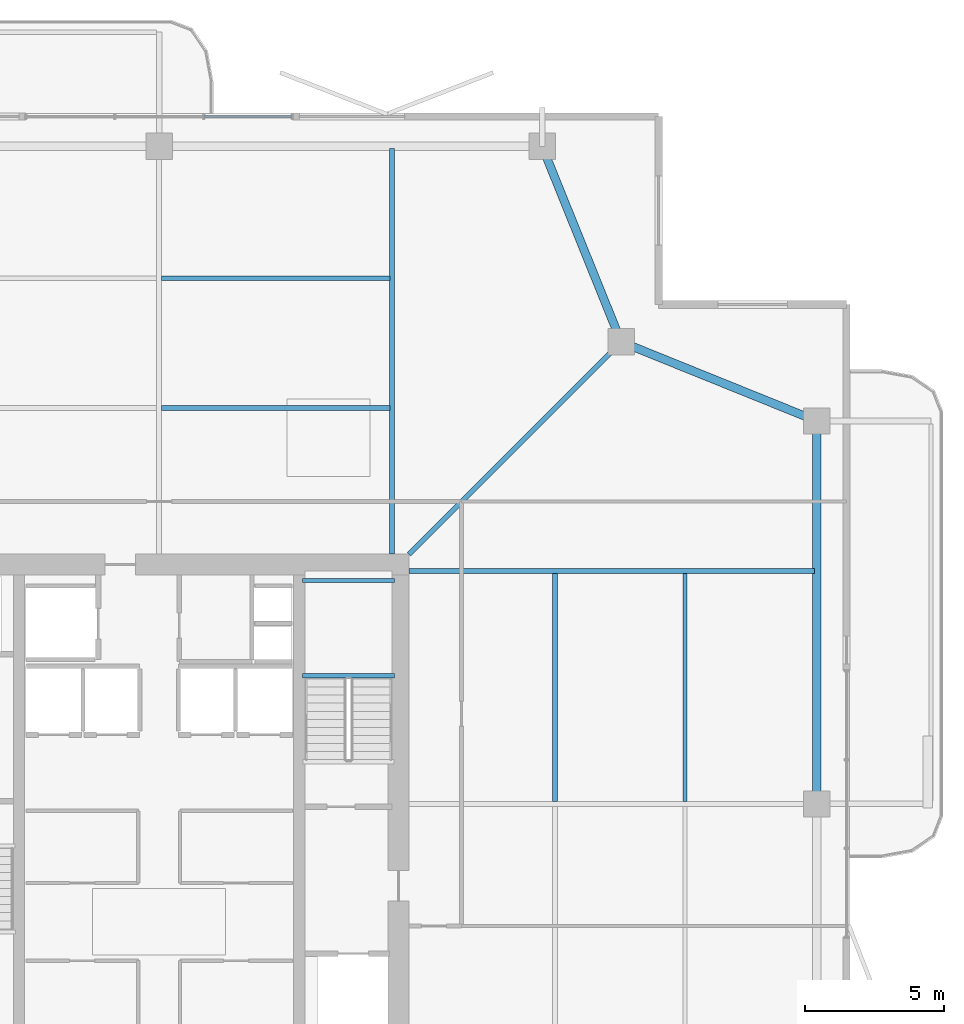
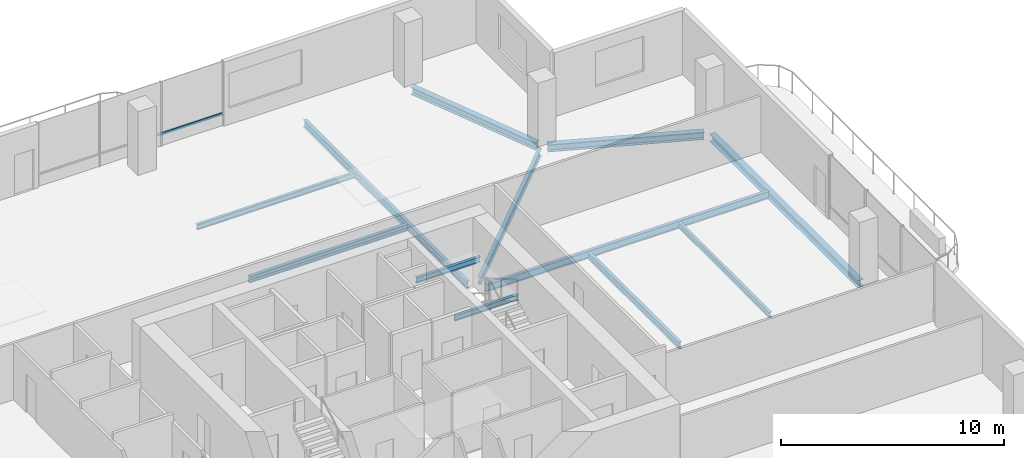
# One storey, part 14 of 24: 12 beams, 1 member, 1 element without a shape of its own.
"""IFC4 building model written with IfcOpenShell, lengths in metres."""

from ifc_helpers import new_model, si_unit, direction, frame, origin, origin_2d, place, context, subcontext, project, spatial, hollow_rectangle, i_section, extrude, material, layer, layer_set, material_profile, profile_set, type_object, element, aggregate, save


model = new_model("IFC4")

# Units and contexts
model_context = context("Model", 3, precision=1e-05, world=origin(), true_north=direction((0.0, 1.0)))
body_context = subcontext(model_context, "Body", "Model", "MODEL_VIEW")
ifc_project = project(units=[si_unit("LENGTHUNIT", "METRE"), si_unit("AREAUNIT", "SQUARE_METRE"), si_unit("VOLUMEUNIT", "CUBIC_METRE"), si_unit("PLANEANGLEUNIT", "RADIAN"), si_unit("MASSUNIT", "GRAM", prefix="KILO")], contexts=[model_context])

# Site, building, storey
site_placement = place(None, origin())
site = spatial("IfcSite", under=ifc_project, at=site_placement, CompositionType="ELEMENT")
building_placement = place(site_placement, origin())
building = spatial("IfcBuilding", under=site, at=building_placement, Name="Belovzor Exchange Tower", CompositionType="ELEMENT")
storey_placement = place(building_placement, frame((0.0, 0.0, 261.60009765625)))
storey = spatial("IfcBuildingStorey", under=building, at=storey_placement, Name="L65", CompositionType="ELEMENT", Elevation=261.60009765625)

# Beams
ifc_material_1 = material(Name="Steel S355", Category="steel")
ifc_material_profile_1 = material_profile(ifc_material_1, i_section(OverallWidth=0.169921875, OverallDepth=0.360107421875, WebThickness=0.008056640625, FlangeThickness=0.0126953125, at=origin_2d()))
ifc_profile_set_1 = profile_set([ifc_material_profile_1], Name="Steel S355")
beam_type_1 = type_object("IfcBeamType", Name="Secondary Infill Floor Joist IPE 360", PredefinedType="BEAM", material=ifc_profile_set_1)
for number, where, z_axis, x_axis, name in (
    (1, (28.889892578125, 43.06494140625, -0.43017578125), (1.0, 0.0, 0.0), (0.0, 1.0, 0.0), "FJ-360 Secondary Infill Floor Joist IPE 360"),
    (2, (43.06494140625, 28.889892578125, -0.43017578125), (0.0, 1.0, 0.0), (-1.0, 0.0, 0.0), "FJ-360 Secondary Infill Floor Joist IPE 360"),
):
    element("IfcBeam", number, at=place(storey_placement, frame(where, z_axis=z_axis, x_axis=x_axis)), inside=storey, type_object=beam_type_1, Name=name, PredefinedType="BEAM", context=body_context, shape_type="SweptSolid", body=[
        extrude(i_section(OverallWidth=0.169921875, OverallDepth=0.360107421875, WebThickness=0.008056640625, FlangeThickness=0.0126953125, at=origin_2d()), origin(), (0.0, 0.0, 1.0), 8.22021484375),
    ])
ifc_material_2 = material(Name="Steel S355", Category="steel")
ifc_material_profile_2 = material_profile(ifc_material_2, i_section(OverallWidth=0.14990234375, OverallDepth=0.300048828125, WebThickness=0.007080078125, FlangeThickness=0.0107421875, at=origin_2d()))
ifc_profile_set_2 = profile_set([ifc_material_profile_2], Name="Steel S355")
beam_type_2 = type_object("IfcBeamType", Name="Secondary Trim Floor Joist IPE 300", PredefinedType="BEAM", material=ifc_profile_set_2)
for number, where, z_axis, x_axis, name in (
    (3, (37.280029296875, 33.419921875, 1.52490234375), (-1.0, 0.0, 0.0), (0.0, -1.0, 0.0), "FJ-300 Secondary Trim Floor Joist IPE 300"),
    (4, (37.280029296875, 36.85009765625, 1.52490234375), (-1.0, 0.0, 0.0), (0.0, -1.0, 0.0), "FJ-300 Secondary Trim Floor Joist IPE 300"),
):
    element("IfcBeam", number, at=place(storey_placement, frame(where, z_axis=z_axis, x_axis=x_axis)), inside=storey, type_object=beam_type_2, Name=name, PredefinedType="BEAM", context=body_context, shape_type="SweptSolid", body=[
        extrude(i_section(OverallWidth=0.14990234375, OverallDepth=0.300048828125, WebThickness=0.007080078125, FlangeThickness=0.0107421875, at=origin_2d()), origin(), (0.0, 0.0, 1.0), 3.31005859375),
    ])
for number, where, z_axis, x_axis, name in (
    (5, (28.889892578125, 47.7451171875, -0.400146484375), (1.0, 0.0, 0.0), (0.0, 1.0, 0.0), "FJ-300 Secondary Trim Floor Joist IPE 300"),
    (6, (47.7451171875, 28.889892578125, -0.400146484375), (0.0, 1.0, 0.0), (-1.0, 0.0, 0.0), "FJ-300 Secondary Trim Floor Joist IPE 300"),
):
    element("IfcBeam", number, at=place(storey_placement, frame(where, z_axis=z_axis, x_axis=x_axis)), inside=storey, type_object=beam_type_2, Name=name, PredefinedType="BEAM", context=body_context, shape_type="SweptSolid", body=[
        extrude(i_section(OverallWidth=0.14990234375, OverallDepth=0.300048828125, WebThickness=0.007080078125, FlangeThickness=0.0107421875, at=origin_2d()), origin(), (0.0, 0.0, 1.0), 8.22021484375),
    ])

# Curtain wall, member
ifc_material_3 = material(Name="Anodised Aluminium Framing", Category="aluminium")
ifc_layer = layer(ifc_material_3, 0.179931640625)
ifc_layer_set = layer_set([ifc_layer], Name="Anodised Aluminium Framing")
curtain_wall_type = type_object("IfcCurtainWallType", Name="Recessed Loggia Low-Iron Triple-Glazed Curtain Wall", PredefinedType="NOTDEFINED", material=ifc_layer_set)
curtain_wall_placement = place(storey_placement, origin())
curtain_wall = element("IfcCurtainWall", 7, at=curtain_wall_placement, inside=storey, type_object=curtain_wall_type, Name="CW3 Recessed Loggia Low-Iron Triple-Glazed Curtain Wall L65", PredefinedType="NOTDEFINED")
ifc_material_4 = material(Name="Steel S355", Category="steel")
ifc_material_profile_3 = material_profile(ifc_material_4, hollow_rectangle(XDim=0.06005859375, YDim=0.14990234375, WallThickness=0.00390625, at=origin_2d()))
ifc_profile_set_3 = profile_set([ifc_material_profile_3], Name="Steel S355")
member_type = type_object("IfcMemberType", Name="Thermally Broken Curtain Wall Transom 150x60", PredefinedType="USERDEFINED", material=ifc_profile_set_3)
member_placement = place(storey_placement, frame((30.407958984375, 53.570068359375, 0.6298828125), z_axis=(1.0, 0.0, 0.0), x_axis=(0.0, 1.0, 0.0)))
member = element("IfcMember", 8, at=member_placement, type_object=member_type, Name="CW-T150 Curtain Wall Transom 3", ObjectType="TRANSOM", PredefinedType="USERDEFINED", context=body_context, shape_type="SweptSolid", body=[
    extrude(hollow_rectangle(XDim=0.06005859375, YDim=0.14990234375, WallThickness=0.00390625, at=origin_2d()), origin(), (0.0, 0.0, 1.0), 3.18408203125),
])
aggregate(curtain_wall, [member])

# Beams
ifc_material_5 = material(Name="Steel S355", Category="steel")
ifc_material_profile_4 = material_profile(ifc_material_5, i_section(OverallWidth=0.300048828125, OverallDepth=0.39990234375, WebThickness=0.013427734375, FlangeThickness=0.02392578125, at=origin_2d()))
ifc_profile_set_4 = profile_set([ifc_material_profile_4], Name="Steel S355")
beam_type_3 = type_object("IfcBeamType", Name="Zone 5 Primary Girder HEB 400", PredefinedType="BEAM", material=ifc_profile_set_4)
beam_1_placement = place(storey_placement, frame((52.5, 29.06103515625, -0.4501953125), z_axis=(0.0, 1.0, 0.0), x_axis=(-1.0, 0.0, 0.0)))
element("IfcBeam", 9, at=beam_1_placement, inside=storey, type_object=beam_type_3, Name="FG-Z5 Zone 5 Primary Girder HEB 400", PredefinedType="BEAM", context=body_context, shape_type="SweptSolid", body=[
    extrude(i_section(OverallWidth=0.300048828125, OverallDepth=0.39990234375, WebThickness=0.013427734375, FlangeThickness=0.02392578125, at=origin_2d()), origin(), (0.0, 0.0, 1.0), 13.278076171875),
])
for number, where, z_axis, x_axis, name in (
    (10, (52.258056640625, 42.697998046875, -0.4501953125), (-0.927127394661, 0.374746306278, 0.0), (-0.374746306278, -0.927127394661, 0.0), "FG-Z5 Zone 5 Primary Girder HEB 400"),
    (11, (45.35205078125, 45.69189453125, -0.4501953125), (-0.374746306278, 0.927127394661, 0.0), (-0.927127394661, -0.374746306278, 0.0), "FG-Z5 Zone 5 Primary Girder HEB 400"),
):
    element("IfcBeam", number, at=place(storey_placement, frame(where, z_axis=z_axis, x_axis=x_axis)), inside=storey, type_object=beam_type_3, Name=name, PredefinedType="BEAM", context=body_context, shape_type="SweptSolid", body=[
        extrude(i_section(OverallWidth=0.300048828125, OverallDepth=0.39990234375, WebThickness=0.013427734375, FlangeThickness=0.02392578125, at=origin_2d()), origin(), (0.0, 0.0, 1.0), 7.082275390625),
    ])
ifc_material_6 = material(Name="Steel S355", Category="steel")
ifc_material_profile_5 = material_profile(ifc_material_6, i_section(OverallWidth=0.179931640625, OverallDepth=0.39990234375, WebThickness=0.008544921875, FlangeThickness=0.013427734375, at=origin_2d()))
ifc_profile_set_5 = profile_set([ifc_material_profile_5], Name="Steel S355")
beam_type_4 = type_object("IfcBeamType", Name="Zone 5-6 Radial Composite Floor Beam IPE 400", PredefinedType="BEAM", material=ifc_profile_set_5)
for number, where, z_axis, x_axis, name in (
    (12, (37.199951171875, 37.800048828125, -0.4501953125), (0.0, 1.0, 0.0), (-1.0, 0.0, 0.0), "FB-400 Zone 5-6 Radial Composite Floor Beam IPE 400"),
    (13, (37.800048828125, 37.199951171875, -0.4501953125), (1.0, 0.0, 0.0), (0.0, 1.0, 0.0), "FB-400 Zone 5-6 Radial Composite Floor Beam IPE 400"),
):
    element("IfcBeam", number, at=place(storey_placement, frame(where, z_axis=z_axis, x_axis=x_axis)), inside=storey, type_object=beam_type_4, Name=name, PredefinedType="BEAM", context=body_context, shape_type="SweptSolid", body=[
        extrude(i_section(OverallWidth=0.179931640625, OverallDepth=0.39990234375, WebThickness=0.008544921875, FlangeThickness=0.013427734375, at=origin_2d()), origin(), (0.0, 0.0, 1.0), 14.625),
    ])
beam_2_placement = place(storey_placement, frame((37.800048828125, 37.800048828125, -0.4501953125), z_axis=(0.707106781187, 0.707106781187, 0.0), x_axis=(-0.707106781187, 0.707106781187, 0.0)))
element("IfcBeam", 14, at=beam_2_placement, inside=storey, type_object=beam_type_4, Name="FB-400 Zone 5-6 Radial Composite Floor Beam IPE 400", PredefinedType="BEAM", context=body_context, shape_type="SweptSolid", body=[
    extrude(i_section(OverallWidth=0.179931640625, OverallDepth=0.39990234375, WebThickness=0.008544921875, FlangeThickness=0.013427734375, at=origin_2d()), origin(), (0.0, 0.0, 1.0), 10.4833984375),
])

save(model, "model.ifc")
